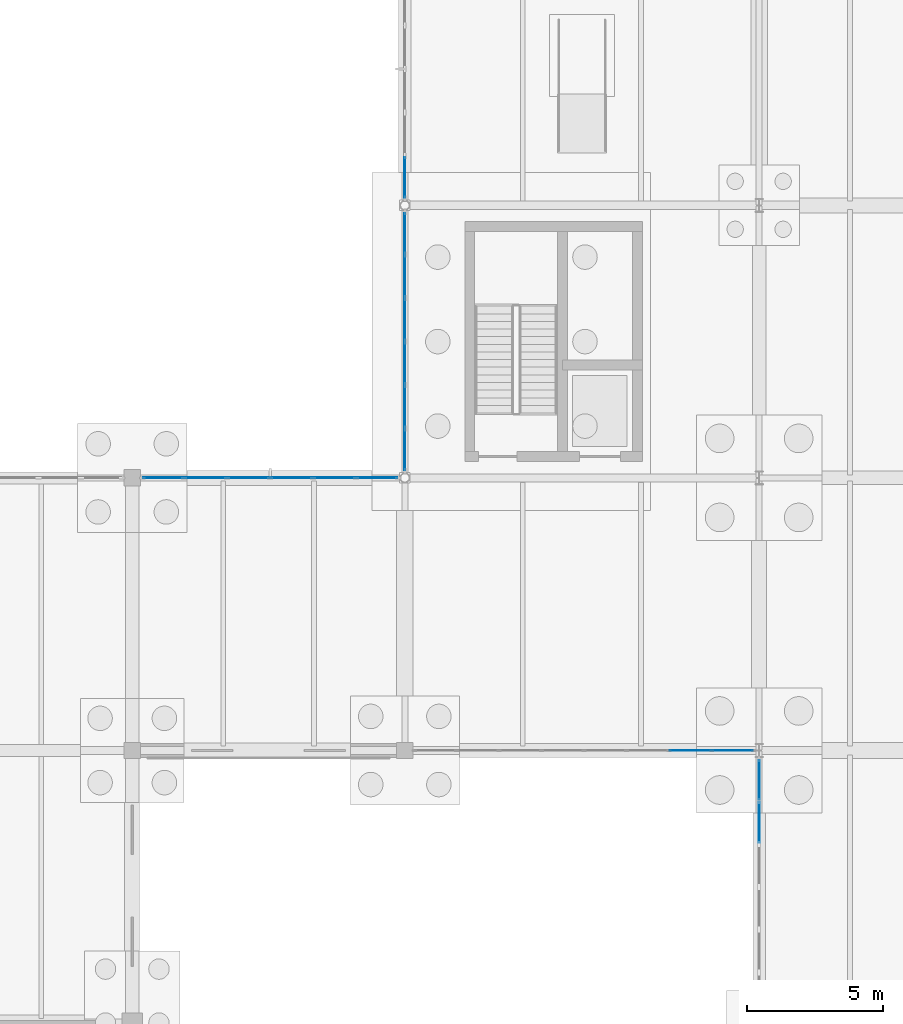
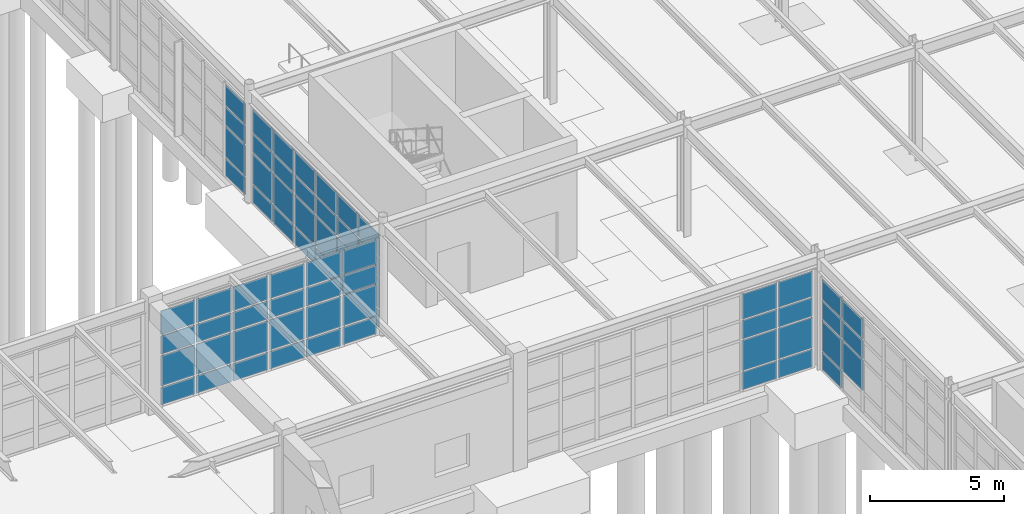
# One storey, part 88 of 145: 67 plates, 5 elements without a shape of their own.
"""IFC4 building model written with IfcOpenShell, lengths in metres."""

import ifcopenshell
import ifcopenshell.guid

model = None  # the IFC model being written
_history = None  # IfcOwnerHistory: only IFC2X3 demands one
_inside = {}  # id of a spatial element -> (the spatial element, [elements in it])
_under = {}  # id of a project, library or spatial element -> (it, [spatial elements below it])
_declared = {}  # id of a project -> (the project, [libraries it declares])
_typed = {}  # id of a type object -> (the type object, [elements of that type])
_made_of = {}  # id of a material, layer set ... -> (it, [elements and type objects made of it])


def new_model(schema):
    """Start an empty IFC model of exactly this schema.

    Asked for "IFC4X3", IfcOpenShell would pick the latest addendum, in which some entities
    have other attributes; the version numbers below select the first issue.
    IFC2X3 requires an IfcOwnerHistory on every rooted entity: one is made here for all.
    """
    global model, _history
    if schema == "IFC4X3":
        model = ifcopenshell.file(schema_version=(4, 3, 0, 0))
    else:
        model = ifcopenshell.file(schema=schema)
    _inside.clear()
    _under.clear()
    _declared.clear()
    _typed.clear()
    _made_of.clear()
    _history = None
    if model.schema == "IFC2X3":
        org = make("IfcOrganization", Name="unknown")
        user = make(
            "IfcPersonAndOrganization",
            ThePerson=make("IfcPerson", FamilyName="unknown"),
            TheOrganization=org,
        )
        app = make(
            "IfcApplication",
            ApplicationDeveloper=org,
            Version="unknown",
            ApplicationFullName="unknown",
            ApplicationIdentifier="unknown",
        )
        _history = make(
            "IfcOwnerHistory",
            OwningUser=user,
            OwningApplication=app,
            ChangeAction="ADDED",
            CreationDate=0,
        )
    return model


def make(cls, **values):
    """One entity of the class cls with the attributes given. An attribute that is None is left unset."""
    return model.create_entity(
        cls, **{name: value for name, value in values.items() if value is not None}
    )


def rooted(cls, **values):
    """An entity with a GlobalId (a new one), such as an element, a storey or a relation."""
    return make(cls, GlobalId=ifcopenshell.guid.new(), OwnerHistory=_history, **values)


def si_unit(unit_type, name, prefix=None):
    """IfcSIUnit, for example si_unit("LENGTHUNIT", "METRE", prefix="MILLI")."""
    return make("IfcSIUnit", UnitType=unit_type, Prefix=prefix, Name=name)


def assignment(units):
    """IfcUnitAssignment: the units of a project."""
    return None if units is None else make("IfcUnitAssignment", Units=units)


def point(xyz):
    """IfcCartesianPoint."""
    return None if xyz is None else make("IfcCartesianPoint", Coordinates=xyz)


def direction(xyz):
    """IfcDirection."""
    return None if xyz is None else make("IfcDirection", DirectionRatios=xyz)


def frame(location, z_axis=None, x_axis=None):
    """IfcAxis2Placement3D, a coordinate frame: its origin and axes. An axis left out is left unset."""
    return make(
        "IfcAxis2Placement3D",
        Location=point(location),
        Axis=direction(z_axis),
        RefDirection=direction(x_axis),
    )


def frame_2d(location, x_axis=None):
    """IfcAxis2Placement2D, a coordinate frame in the plane: its origin and x axis."""
    return make(
        "IfcAxis2Placement2D", Location=point(location), RefDirection=direction(x_axis)
    )


def origin():
    """The frame at (0, 0, 0) with its axes left unset."""
    return frame((0.0, 0.0, 0.0))


def origin_2d():
    """The frame at (0, 0) in the plane with its x axis left unset."""
    return frame_2d((0.0, 0.0))


def place(relative_to, where):
    """IfcLocalPlacement: puts the frame where relative to a parent placement (None: the world)."""
    return make(
        "IfcLocalPlacement", PlacementRelTo=relative_to, RelativePlacement=where
    )


def context(
    kind, dimensions, precision=None, world=None, true_north=None, identifier=None
):
    """IfcGeometricRepresentationContext, for example the 3D "Model" context."""
    return make(
        "IfcGeometricRepresentationContext",
        ContextIdentifier=identifier,
        ContextType=kind,
        CoordinateSpaceDimension=dimensions,
        Precision=precision,
        WorldCoordinateSystem=world,
        TrueNorth=true_north,
    )


def subcontext(parent, identifier, kind, view, scale=None):
    """IfcGeometricRepresentationSubContext, for example "Body" below "Model"."""
    return make(
        "IfcGeometricRepresentationSubContext",
        ContextIdentifier=identifier,
        ContextType=kind,
        ParentContext=parent,
        TargetScale=scale,
        TargetView=view,
    )


def project(units=None, contexts=None):
    """IfcProject with its units and contexts."""
    return rooted(
        "IfcProject",
        Name="project",
        RepresentationContexts=contexts,
        UnitsInContext=assignment(units),
    )


def spatial(cls, under=None, at=None, **own):
    """A site, building, storey or space (cls), placed at a placement, below another one or the project."""
    s = rooted(cls, ObjectPlacement=at, **own)
    if under is not None:
        _under.setdefault(under.id(), (under, []))[1].append(s)
    return s


def profile(cls, at=None, kind="AREA", **sizes):
    """A parametric profile (cls). Its sizes go by their IFC names, for example OverallWidth=200.0."""
    return make(cls, ProfileType=kind, Position=at, **sizes)


def rectangle(**sizes):
    """IfcRectangleProfileDef."""
    return profile("IfcRectangleProfileDef", **sizes)


def extrude(swept, where, along, depth):
    """IfcExtrudedAreaSolid: the profile swept, set in the frame where, extruded along a direction by depth."""
    return make(
        "IfcExtrudedAreaSolid",
        SweptArea=swept,
        Position=where,
        ExtrudedDirection=direction(along),
        Depth=depth,
    )


def shape(context_of_items, identifier, shape_type, items):
    """IfcShapeRepresentation: the items that make up one representation, for example the "Body"."""
    return make(
        "IfcShapeRepresentation",
        ContextOfItems=context_of_items,
        RepresentationIdentifier=identifier,
        RepresentationType=shape_type,
        Items=items,
    )


def material(Name=None, Category=None):
    """IfcMaterial."""
    return make("IfcMaterial", Name=Name, Category=Category)


def layer(
    of_material, thickness, ventilated=None, Name=None, Category=None, Priority=None
):
    """IfcMaterialLayer: one layer of a wall or slab, of a material (None: an air gap)."""
    return make(
        "IfcMaterialLayer",
        Material=of_material,
        LayerThickness=thickness,
        IsVentilated=ventilated,
        Name=Name,
        Category=Category,
        Priority=Priority,
    )


def layer_set(layers, Name=None):
    """IfcMaterialLayerSet."""
    return make("IfcMaterialLayerSet", MaterialLayers=layers, LayerSetName=Name)


def made_of(thing, what):
    """Note that an element or type object is made of a material, layer set ...; save() writes the relation."""
    if what is not None:
        _made_of.setdefault(what.id(), (what, []))[1].append(thing)
    return thing


def type_object(cls, material=None, **own):
    """A type object (cls), such as IfcWallType, which elements share."""
    return made_of(rooted(cls, **own), material)


def element(
    cls,
    number,
    at=None,
    inside=None,
    cuts=None,
    type_object=None,
    material=None,
    context=None,
    identifier="Body",
    shape_type=None,
    held_by="IfcProductDefinitionShape",
    body=None,
    shapes=None,
    **own,
):
    """One element of the class cls, such as IfcWall. Its Tag is "e" and its number.

    at: its placement. inside: the storey or other place that contains it. cuts: it is an
    opening in that element (IfcRelVoidsElement). A single representation is given by context,
    identifier, shape_type and body (its items); several are given by shapes. held_by: the class
    of the entity that holds the representations. save() writes the other relations.
    """
    e = rooted(cls, Tag="e%d" % number, ObjectPlacement=at, **own)
    if body is not None:
        shapes = [shape(context, identifier, shape_type, body)]
    if shapes is not None:
        e.Representation = make(held_by, Representations=shapes)
    if inside is not None:
        _inside.setdefault(inside.id(), (inside, []))[1].append(e)
    if cuts is not None:
        rooted(
            "IfcRelVoidsElement", RelatingBuildingElement=cuts, RelatedOpeningElement=e
        )
    if type_object is not None:
        _typed.setdefault(type_object.id(), (type_object, []))[1].append(e)
    return made_of(e, material)


def aggregate(whole, parts):
    """IfcRelAggregates: a whole, such as a stair, and the parts it consists of."""
    return rooted("IfcRelAggregates", RelatingObject=whole, RelatedObjects=parts)


def save(model, path):
    """Write the relations noted so far, then the file.

    IfcRelAggregates (storeys below a building ...), IfcRelContainedInSpatialStructure (elements
    in a storey), IfcRelDefinesByType, IfcRelAssociatesMaterial and IfcRelDeclares: one each for
    every whole, place, type object, material and project.
    """
    for whole, parts in _under.values():
        aggregate(whole, parts)
    for where, things in _inside.values():
        rooted(
            "IfcRelContainedInSpatialStructure",
            RelatedElements=things,
            RelatingStructure=where,
        )
    for kind, things in _typed.values():
        rooted("IfcRelDefinesByType", RelatedObjects=things, RelatingType=kind)
    for what, things in _made_of.values():
        rooted("IfcRelAssociatesMaterial", RelatedObjects=things, RelatingMaterial=what)
    for by, libraries in _declared.values():
        rooted("IfcRelDeclares", RelatingContext=by, RelatedDefinitions=libraries)
    model.write(path)


model = new_model("IFC4")

# Units and contexts
model_context = context("Model", 3, precision=1e-05, world=origin(), true_north=direction((0.0, 1.0)))
body_context = subcontext(model_context, "Body", "Model", "MODEL_VIEW")
ifc_project = project(units=[si_unit("LENGTHUNIT", "METRE"), si_unit("AREAUNIT", "SQUARE_METRE"), si_unit("VOLUMEUNIT", "CUBIC_METRE"), si_unit("PLANEANGLEUNIT", "RADIAN"), si_unit("MASSUNIT", "GRAM", prefix="KILO"), si_unit("THERMODYNAMICTEMPERATUREUNIT", "KELVIN"), si_unit("POWERUNIT", "WATT")], contexts=[model_context])

# Site, building, storey
site_placement = place(None, origin())
site = spatial("IfcSite", under=ifc_project, at=site_placement, CompositionType="ELEMENT")
building_placement = place(site_placement, origin())
building = spatial("IfcBuilding", under=site, at=building_placement, Name="Korenveer Ferry Terminal", CompositionType="ELEMENT")
storey_placement = place(building_placement, origin())
storey = spatial("IfcBuildingStorey", under=building, at=storey_placement, Name="L00", CompositionType="ELEMENT", Elevation=0.0)

# Curtain wall, plates
ifc_material_1 = material(Name="Unitised bronze-and-glass curtain wall", Category="glass")
ifc_layer_1 = layer(ifc_material_1, 0.159912109375)
ifc_layer_set_1 = layer_set([ifc_layer_1], Name="Unitised bronze-and-glass curtain wall")
curtain_wall_type_1 = type_object("IfcCurtainWallType", Name="ENV-CW-06", PredefinedType="USERDEFINED", material=ifc_layer_set_1)
curtain_wall_1_placement = place(storey_placement, frame((40.330078125, 70.0, 0.0)))
curtain_wall_1 = element("IfcCurtainWall", 1, at=curtain_wall_1_placement, inside=storey, type_object=curtain_wall_type_1, Name="Lancet curtain wall CWX-L00-X40-53-Y70-70", ObjectType="UNITISED CURTAIN WALL", PredefinedType="USERDEFINED")
ifc_material_2 = material(Name="Low-iron solar-control double glazing", Category="glass")
ifc_layer_2 = layer(ifc_material_2, 0.028076171875)
ifc_layer_set_2 = layer_set([ifc_layer_2], Name="Low-iron solar-control double glazing")
plate_type_1 = type_object("IfcPlateType", Name="ENV-CWP-GLZ28", PredefinedType="CURTAIN_PANEL", material=ifc_layer_set_2)
plate_1_placement = place(storey_placement, frame((50.47802734375, 70.0, 0.06005859375), z_axis=(0.0, 0.0, 1.0), x_axis=(1.0, 0.0, 0.0)))
plate_1 = element("IfcPlate", 2, at=plate_1_placement, type_object=plate_type_1, Name="CW-06 panel 7.1", PredefinedType="CURTAIN_PANEL", context=body_context, shape_type="SweptSolid", body=[
    extrude(rectangle(XDim=1.501220703125, YDim=0.028076171875, at=origin_2d()), origin(), (0.0, 0.0, 1.0), 0.81005859375),
])
plate_2_placement = place(storey_placement, frame((50.47802734375, 70.0, 0.93017578125), z_axis=(0.0, 0.0, 1.0), x_axis=(1.0, 0.0, 0.0)))
plate_2 = element("IfcPlate", 3, at=plate_2_placement, type_object=plate_type_1, Name="CW-06 panel 7.2", PredefinedType="CURTAIN_PANEL", context=body_context, shape_type="SweptSolid", body=[
    extrude(rectangle(XDim=1.501220703125, YDim=0.028076171875, at=origin_2d()), origin(), (0.0, 0.0, 1.0), 1.389892578125),
])
plate_3_placement = place(storey_placement, frame((50.47802734375, 70.0, 2.3798828125), z_axis=(0.0, 0.0, 1.0), x_axis=(1.0, 0.0, 0.0)))
plate_3 = element("IfcPlate", 4, at=plate_3_placement, type_object=plate_type_1, Name="CW-06 panel 7.3", PredefinedType="CURTAIN_PANEL", context=body_context, shape_type="SweptSolid", body=[
    extrude(rectangle(XDim=1.501220703125, YDim=0.028076171875, at=origin_2d()), origin(), (0.0, 0.0, 1.0), 0.840087890625),
])
plate_4_placement = place(storey_placement, frame((50.47802734375, 70.0, 3.280029296875), z_axis=(0.0, 0.0, 1.0), x_axis=(1.0, 0.0, 0.0)))
plate_4 = element("IfcPlate", 5, at=plate_4_placement, type_object=plate_type_1, Name="CW-06 panel 7.4", PredefinedType="CURTAIN_PANEL", context=body_context, shape_type="SweptSolid", body=[
    extrude(rectangle(XDim=1.501220703125, YDim=0.028076171875, at=origin_2d()), origin(), (0.0, 0.0, 1.0), 1.14990234375),
])
plate_5_placement = place(storey_placement, frame((52.0244140625, 70.0, 0.06005859375), z_axis=(0.0, 0.0, 1.0), x_axis=(1.0, 0.0, 0.0)))
plate_5 = element("IfcPlate", 6, at=plate_5_placement, type_object=plate_type_1, Name="CW-06 panel 8.1", PredefinedType="CURTAIN_PANEL", context=body_context, shape_type="SweptSolid", body=[
    extrude(rectangle(XDim=1.47119140625, YDim=0.028076171875, at=origin_2d()), origin(), (0.0, 0.0, 1.0), 0.81005859375),
])
plate_6_placement = place(storey_placement, frame((52.0244140625, 70.0, 0.93017578125), z_axis=(0.0, 0.0, 1.0), x_axis=(1.0, 0.0, 0.0)))
plate_6 = element("IfcPlate", 7, at=plate_6_placement, type_object=plate_type_1, Name="CW-06 panel 8.2", PredefinedType="CURTAIN_PANEL", context=body_context, shape_type="SweptSolid", body=[
    extrude(rectangle(XDim=1.47119140625, YDim=0.028076171875, at=origin_2d()), origin(), (0.0, 0.0, 1.0), 1.389892578125),
])
plate_7_placement = place(storey_placement, frame((52.0244140625, 70.0, 2.3798828125), z_axis=(0.0, 0.0, 1.0), x_axis=(1.0, 0.0, 0.0)))
plate_7 = element("IfcPlate", 8, at=plate_7_placement, type_object=plate_type_1, Name="CW-06 panel 8.3", PredefinedType="CURTAIN_PANEL", context=body_context, shape_type="SweptSolid", body=[
    extrude(rectangle(XDim=1.47119140625, YDim=0.028076171875, at=origin_2d()), origin(), (0.0, 0.0, 1.0), 0.840087890625),
])
plate_8_placement = place(storey_placement, frame((52.0244140625, 70.0, 3.280029296875), z_axis=(0.0, 0.0, 1.0), x_axis=(1.0, 0.0, 0.0)))
plate_8 = element("IfcPlate", 9, at=plate_8_placement, type_object=plate_type_1, Name="CW-06 panel 8.4", PredefinedType="CURTAIN_PANEL", context=body_context, shape_type="SweptSolid", body=[
    extrude(rectangle(XDim=1.47119140625, YDim=0.028076171875, at=origin_2d()), origin(), (0.0, 0.0, 1.0), 1.14990234375),
])
aggregate(curtain_wall_1, [plate_1, plate_2, plate_3, plate_4, plate_5, plate_6, plate_7, plate_8])

ifc_layer_3 = layer(ifc_material_1, 0.219970703125)
ifc_layer_set_3 = layer_set([ifc_layer_3], Name="Unitised bronze-and-glass curtain wall")
curtain_wall_type_2 = type_object("IfcCurtainWallType", Name="ENV-CW-11", PredefinedType="USERDEFINED", material=ifc_layer_set_3)
curtain_wall_2_placement = place(storey_placement, frame((30.330078125, 80.0, 0.0)))
curtain_wall_2 = element("IfcCurtainWall", 10, at=curtain_wall_2_placement, inside=storey, type_object=curtain_wall_type_2, Name="Lancet curtain wall CWX-L00-X30-40-Y80-80", ObjectType="UNITISED CURTAIN WALL", PredefinedType="USERDEFINED")
ifc_material_3 = material(Name="Acoustic laminated marine glazing", Category="glass")
ifc_layer_4 = layer(ifc_material_3, 0.035888671875)
ifc_layer_set_4 = layer_set([ifc_layer_4], Name="Acoustic laminated marine glazing")
plate_type_2 = type_object("IfcPlateType", Name="ENV-CWP-GLZ36", PredefinedType="CURTAIN_PANEL", material=ifc_layer_set_4)
plate_9_placement = place(storey_placement, frame((31.13720703125, 80.0, 0.074951171875), z_axis=(0.0, 0.0, 1.0), x_axis=(1.0, 0.0, 0.0)))
plate_9 = element("IfcPlate", 11, at=plate_9_placement, type_object=plate_type_2, Name="CW-11 panel 1.1", PredefinedType="CURTAIN_PANEL", context=body_context, shape_type="SweptSolid", body=[
    extrude(rectangle(XDim=1.464599609375, YDim=0.035888671875, at=origin_2d()), origin(), (0.0, 0.0, 1.0), 0.78759765625),
])
plate_10_placement = place(storey_placement, frame((31.13720703125, 80.0, 0.9375), z_axis=(0.0, 0.0, 1.0), x_axis=(1.0, 0.0, 0.0)))
plate_10 = element("IfcPlate", 12, at=plate_10_placement, type_object=plate_type_2, Name="CW-11 panel 1.2", PredefinedType="CURTAIN_PANEL", context=body_context, shape_type="SweptSolid", body=[
    extrude(rectangle(XDim=1.464599609375, YDim=0.035888671875, at=origin_2d()), origin(), (0.0, 0.0, 1.0), 1.375),
])
plate_11_placement = place(storey_placement, frame((31.13720703125, 80.0, 2.3876953125), z_axis=(0.0, 0.0, 1.0), x_axis=(1.0, 0.0, 0.0)))
plate_11 = element("IfcPlate", 13, at=plate_11_placement, type_object=plate_type_2, Name="CW-11 panel 1.3", PredefinedType="CURTAIN_PANEL", context=body_context, shape_type="SweptSolid", body=[
    extrude(rectangle(XDim=1.464599609375, YDim=0.035888671875, at=origin_2d()), origin(), (0.0, 0.0, 1.0), 0.824951171875),
])
plate_12_placement = place(storey_placement, frame((31.13720703125, 80.0, 3.28759765625), z_axis=(0.0, 0.0, 1.0), x_axis=(1.0, 0.0, 0.0)))
plate_12 = element("IfcPlate", 14, at=plate_12_placement, type_object=plate_type_2, Name="CW-11 panel 1.4", PredefinedType="CURTAIN_PANEL", context=body_context, shape_type="SweptSolid", body=[
    extrude(rectangle(XDim=1.464599609375, YDim=0.035888671875, at=origin_2d()), origin(), (0.0, 0.0, 1.0), 1.077392578125),
])
plate_13_placement = place(storey_placement, frame((32.695556640625, 80.0, 0.074951171875), z_axis=(0.0, 0.0, 1.0), x_axis=(1.0, 0.0, 0.0)))
plate_13 = element("IfcPlate", 15, at=plate_13_placement, type_object=plate_type_2, Name="CW-11 panel 2.1", PredefinedType="CURTAIN_PANEL", context=body_context, shape_type="SweptSolid", body=[
    extrude(rectangle(XDim=1.501953125, YDim=0.035888671875, at=origin_2d()), origin(), (0.0, 0.0, 1.0), 0.78759765625),
])
plate_14_placement = place(storey_placement, frame((32.695556640625, 80.0, 0.9375), z_axis=(0.0, 0.0, 1.0), x_axis=(1.0, 0.0, 0.0)))
plate_14 = element("IfcPlate", 16, at=plate_14_placement, type_object=plate_type_2, Name="CW-11 panel 2.2", PredefinedType="CURTAIN_PANEL", context=body_context, shape_type="SweptSolid", body=[
    extrude(rectangle(XDim=1.501953125, YDim=0.035888671875, at=origin_2d()), origin(), (0.0, 0.0, 1.0), 1.375),
])
plate_15_placement = place(storey_placement, frame((32.695556640625, 80.0, 2.3876953125), z_axis=(0.0, 0.0, 1.0), x_axis=(1.0, 0.0, 0.0)))
plate_15 = element("IfcPlate", 17, at=plate_15_placement, type_object=plate_type_2, Name="CW-11 panel 2.3", PredefinedType="CURTAIN_PANEL", context=body_context, shape_type="SweptSolid", body=[
    extrude(rectangle(XDim=1.501953125, YDim=0.035888671875, at=origin_2d()), origin(), (0.0, 0.0, 1.0), 0.824951171875),
])
plate_16_placement = place(storey_placement, frame((32.695556640625, 80.0, 3.28759765625), z_axis=(0.0, 0.0, 1.0), x_axis=(1.0, 0.0, 0.0)))
plate_16 = element("IfcPlate", 18, at=plate_16_placement, type_object=plate_type_2, Name="CW-11 panel 2.4", PredefinedType="CURTAIN_PANEL", context=body_context, shape_type="SweptSolid", body=[
    extrude(rectangle(XDim=1.501953125, YDim=0.035888671875, at=origin_2d()), origin(), (0.0, 0.0, 1.0), 1.077392578125),
])
plate_17_placement = place(storey_placement, frame((34.272705078125, 80.0, 0.074951171875), z_axis=(0.0, 0.0, 1.0), x_axis=(1.0, 0.0, 0.0)))
plate_17 = element("IfcPlate", 19, at=plate_17_placement, type_object=plate_type_2, Name="CW-11 panel 3.1", PredefinedType="CURTAIN_PANEL", context=body_context, shape_type="SweptSolid", body=[
    extrude(rectangle(XDim=1.501953125, YDim=0.035888671875, at=origin_2d()), origin(), (0.0, 0.0, 1.0), 0.78759765625),
])
plate_18_placement = place(storey_placement, frame((34.272705078125, 80.0, 0.9375), z_axis=(0.0, 0.0, 1.0), x_axis=(1.0, 0.0, 0.0)))
plate_18 = element("IfcPlate", 20, at=plate_18_placement, type_object=plate_type_2, Name="CW-11 panel 3.2", PredefinedType="CURTAIN_PANEL", context=body_context, shape_type="SweptSolid", body=[
    extrude(rectangle(XDim=1.501953125, YDim=0.035888671875, at=origin_2d()), origin(), (0.0, 0.0, 1.0), 1.375),
])
plate_19_placement = place(storey_placement, frame((34.272705078125, 80.0, 2.3876953125), z_axis=(0.0, 0.0, 1.0), x_axis=(1.0, 0.0, 0.0)))
plate_19 = element("IfcPlate", 21, at=plate_19_placement, type_object=plate_type_2, Name="CW-11 panel 3.3", PredefinedType="CURTAIN_PANEL", context=body_context, shape_type="SweptSolid", body=[
    extrude(rectangle(XDim=1.501953125, YDim=0.035888671875, at=origin_2d()), origin(), (0.0, 0.0, 1.0), 0.824951171875),
])
plate_20_placement = place(storey_placement, frame((34.272705078125, 80.0, 3.28759765625), z_axis=(0.0, 0.0, 1.0), x_axis=(1.0, 0.0, 0.0)))
plate_20 = element("IfcPlate", 22, at=plate_20_placement, type_object=plate_type_2, Name="CW-11 panel 3.4", PredefinedType="CURTAIN_PANEL", context=body_context, shape_type="SweptSolid", body=[
    extrude(rectangle(XDim=1.501953125, YDim=0.035888671875, at=origin_2d()), origin(), (0.0, 0.0, 1.0), 1.077392578125),
])
plate_21_placement = place(storey_placement, frame((35.849609375, 80.0, 0.074951171875), z_axis=(0.0, 0.0, 1.0), x_axis=(1.0, 0.0, 0.0)))
plate_21 = element("IfcPlate", 23, at=plate_21_placement, type_object=plate_type_2, Name="CW-11 panel 4.1", PredefinedType="CURTAIN_PANEL", context=body_context, shape_type="SweptSolid", body=[
    extrude(rectangle(XDim=1.501953125, YDim=0.035888671875, at=origin_2d()), origin(), (0.0, 0.0, 1.0), 0.78759765625),
])
plate_22_placement = place(storey_placement, frame((35.849609375, 80.0, 0.9375), z_axis=(0.0, 0.0, 1.0), x_axis=(1.0, 0.0, 0.0)))
plate_22 = element("IfcPlate", 24, at=plate_22_placement, type_object=plate_type_2, Name="CW-11 panel 4.2", PredefinedType="CURTAIN_PANEL", context=body_context, shape_type="SweptSolid", body=[
    extrude(rectangle(XDim=1.501953125, YDim=0.035888671875, at=origin_2d()), origin(), (0.0, 0.0, 1.0), 1.375),
])
plate_23_placement = place(storey_placement, frame((35.849609375, 80.0, 2.3876953125), z_axis=(0.0, 0.0, 1.0), x_axis=(1.0, 0.0, 0.0)))
plate_23 = element("IfcPlate", 25, at=plate_23_placement, type_object=plate_type_2, Name="CW-11 panel 4.3", PredefinedType="CURTAIN_PANEL", context=body_context, shape_type="SweptSolid", body=[
    extrude(rectangle(XDim=1.501953125, YDim=0.035888671875, at=origin_2d()), origin(), (0.0, 0.0, 1.0), 0.824951171875),
])
plate_24_placement = place(storey_placement, frame((35.849609375, 80.0, 3.28759765625), z_axis=(0.0, 0.0, 1.0), x_axis=(1.0, 0.0, 0.0)))
plate_24 = element("IfcPlate", 26, at=plate_24_placement, type_object=plate_type_2, Name="CW-11 panel 4.4", PredefinedType="CURTAIN_PANEL", context=body_context, shape_type="SweptSolid", body=[
    extrude(rectangle(XDim=1.501953125, YDim=0.035888671875, at=origin_2d()), origin(), (0.0, 0.0, 1.0), 1.077392578125),
])
plate_25_placement = place(storey_placement, frame((37.4267578125, 80.0, 0.074951171875), z_axis=(0.0, 0.0, 1.0), x_axis=(1.0, 0.0, 0.0)))
plate_25 = element("IfcPlate", 27, at=plate_25_placement, type_object=plate_type_2, Name="CW-11 panel 5.1", PredefinedType="CURTAIN_PANEL", context=body_context, shape_type="SweptSolid", body=[
    extrude(rectangle(XDim=1.501953125, YDim=0.035888671875, at=origin_2d()), origin(), (0.0, 0.0, 1.0), 0.78759765625),
])
plate_26_placement = place(storey_placement, frame((37.4267578125, 80.0, 0.9375), z_axis=(0.0, 0.0, 1.0), x_axis=(1.0, 0.0, 0.0)))
plate_26 = element("IfcPlate", 28, at=plate_26_placement, type_object=plate_type_2, Name="CW-11 panel 5.2", PredefinedType="CURTAIN_PANEL", context=body_context, shape_type="SweptSolid", body=[
    extrude(rectangle(XDim=1.501953125, YDim=0.035888671875, at=origin_2d()), origin(), (0.0, 0.0, 1.0), 1.375),
])
plate_27_placement = place(storey_placement, frame((37.4267578125, 80.0, 2.3876953125), z_axis=(0.0, 0.0, 1.0), x_axis=(1.0, 0.0, 0.0)))
plate_27 = element("IfcPlate", 29, at=plate_27_placement, type_object=plate_type_2, Name="CW-11 panel 5.3", PredefinedType="CURTAIN_PANEL", context=body_context, shape_type="SweptSolid", body=[
    extrude(rectangle(XDim=1.501953125, YDim=0.035888671875, at=origin_2d()), origin(), (0.0, 0.0, 1.0), 0.824951171875),
])
plate_28_placement = place(storey_placement, frame((37.4267578125, 80.0, 3.28759765625), z_axis=(0.0, 0.0, 1.0), x_axis=(1.0, 0.0, 0.0)))
plate_28 = element("IfcPlate", 30, at=plate_28_placement, type_object=plate_type_2, Name="CW-11 panel 5.4", PredefinedType="CURTAIN_PANEL", context=body_context, shape_type="SweptSolid", body=[
    extrude(rectangle(XDim=1.501953125, YDim=0.035888671875, at=origin_2d()), origin(), (0.0, 0.0, 1.0), 1.077392578125),
])
plate_29_placement = place(storey_placement, frame((38.98486328125, 80.0, 0.074951171875), z_axis=(0.0, 0.0, 1.0), x_axis=(1.0, 0.0, 0.0)))
plate_29 = element("IfcPlate", 31, at=plate_29_placement, type_object=plate_type_2, Name="CW-11 panel 6.1", PredefinedType="CURTAIN_PANEL", context=body_context, shape_type="SweptSolid", body=[
    extrude(rectangle(XDim=1.464599609375, YDim=0.035888671875, at=origin_2d()), origin(), (0.0, 0.0, 1.0), 0.78759765625),
])
plate_30_placement = place(storey_placement, frame((38.98486328125, 80.0, 0.9375), z_axis=(0.0, 0.0, 1.0), x_axis=(1.0, 0.0, 0.0)))
plate_30 = element("IfcPlate", 32, at=plate_30_placement, type_object=plate_type_2, Name="CW-11 panel 6.2", PredefinedType="CURTAIN_PANEL", context=body_context, shape_type="SweptSolid", body=[
    extrude(rectangle(XDim=1.464599609375, YDim=0.035888671875, at=origin_2d()), origin(), (0.0, 0.0, 1.0), 1.375),
])
plate_31_placement = place(storey_placement, frame((38.98486328125, 80.0, 2.3876953125), z_axis=(0.0, 0.0, 1.0), x_axis=(1.0, 0.0, 0.0)))
plate_31 = element("IfcPlate", 33, at=plate_31_placement, type_object=plate_type_2, Name="CW-11 panel 6.3", PredefinedType="CURTAIN_PANEL", context=body_context, shape_type="SweptSolid", body=[
    extrude(rectangle(XDim=1.464599609375, YDim=0.035888671875, at=origin_2d()), origin(), (0.0, 0.0, 1.0), 0.824951171875),
])
plate_32_placement = place(storey_placement, frame((38.98486328125, 80.0, 3.28759765625), z_axis=(0.0, 0.0, 1.0), x_axis=(1.0, 0.0, 0.0)))
plate_32 = element("IfcPlate", 34, at=plate_32_placement, type_object=plate_type_2, Name="CW-11 panel 6.4", PredefinedType="CURTAIN_PANEL", context=body_context, shape_type="SweptSolid", body=[
    extrude(rectangle(XDim=1.464599609375, YDim=0.035888671875, at=origin_2d()), origin(), (0.0, 0.0, 1.0), 1.077392578125),
])
aggregate(curtain_wall_2, [plate_9, plate_10, plate_11, plate_12, plate_13, plate_14, plate_15, plate_16, plate_17, plate_18, plate_19, plate_20, plate_21, plate_22, plate_23, plate_24, plate_25, plate_26, plate_27, plate_28, plate_29, plate_30, plate_31, plate_32])

ifc_layer_5 = layer(ifc_material_1, 0.219970703125)
ifc_layer_set_5 = layer_set([ifc_layer_5], Name="Unitised bronze-and-glass curtain wall")
curtain_wall_type_3 = type_object("IfcCurtainWallType", Name="ENV-CW-21", PredefinedType="USERDEFINED", material=ifc_layer_set_5)
curtain_wall_3_placement = place(storey_placement, frame((40.0, 80.207763671875, 0.0)))
curtain_wall_3 = element("IfcCurtainWall", 35, at=curtain_wall_3_placement, inside=storey, type_object=curtain_wall_type_3, Name="Lancet curtain wall CWX-L00-X40-40-Y80-90", ObjectType="UNITISED CURTAIN WALL", PredefinedType="USERDEFINED")
plate_33_placement = place(storey_placement, frame((40.0, 81.025146484375, 0.074951171875), z_axis=(0.0, 0.0, 1.0), x_axis=(0.0, 1.0, 0.0)))
plate_33 = element("IfcPlate", 36, at=plate_33_placement, type_object=plate_type_2, Name="CW-21 panel 1.1", PredefinedType="CURTAIN_PANEL", context=body_context, shape_type="SweptSolid", body=[
    extrude(rectangle(XDim=1.48486328125, YDim=0.035888671875, at=origin_2d()), origin(), (0.0, 0.0, 1.0), 0.78759765625),
])
plate_34_placement = place(storey_placement, frame((40.0, 81.025146484375, 0.9375), z_axis=(0.0, 0.0, 1.0), x_axis=(0.0, 1.0, 0.0)))
plate_34 = element("IfcPlate", 37, at=plate_34_placement, type_object=plate_type_2, Name="CW-21 panel 1.2", PredefinedType="CURTAIN_PANEL", context=body_context, shape_type="SweptSolid", body=[
    extrude(rectangle(XDim=1.48486328125, YDim=0.035888671875, at=origin_2d()), origin(), (0.0, 0.0, 1.0), 1.375),
])
plate_35_placement = place(storey_placement, frame((40.0, 81.025146484375, 2.3876953125), z_axis=(0.0, 0.0, 1.0), x_axis=(0.0, 1.0, 0.0)))
plate_35 = element("IfcPlate", 38, at=plate_35_placement, type_object=plate_type_2, Name="CW-21 panel 1.3", PredefinedType="CURTAIN_PANEL", context=body_context, shape_type="SweptSolid", body=[
    extrude(rectangle(XDim=1.48486328125, YDim=0.035888671875, at=origin_2d()), origin(), (0.0, 0.0, 1.0), 0.824951171875),
])
plate_36_placement = place(storey_placement, frame((40.0, 81.025146484375, 3.28759765625), z_axis=(0.0, 0.0, 1.0), x_axis=(0.0, 1.0, 0.0)))
plate_36 = element("IfcPlate", 39, at=plate_36_placement, type_object=plate_type_2, Name="CW-21 panel 1.4", PredefinedType="CURTAIN_PANEL", context=body_context, shape_type="SweptSolid", body=[
    extrude(rectangle(XDim=1.48486328125, YDim=0.035888671875, at=origin_2d()), origin(), (0.0, 0.0, 1.0), 1.027587890625),
])
plate_37_placement = place(storey_placement, frame((40.0, 82.60400390625, 0.074951171875), z_axis=(0.0, 0.0, 1.0), x_axis=(0.0, 1.0, 0.0)))
plate_37 = element("IfcPlate", 40, at=plate_37_placement, type_object=plate_type_2, Name="CW-21 panel 2.1", PredefinedType="CURTAIN_PANEL", context=body_context, shape_type="SweptSolid", body=[
    extrude(rectangle(XDim=1.5224609375, YDim=0.035888671875, at=origin_2d()), origin(), (0.0, 0.0, 1.0), 0.78759765625),
])
plate_38_placement = place(storey_placement, frame((40.0, 82.60400390625, 0.9375), z_axis=(0.0, 0.0, 1.0), x_axis=(0.0, 1.0, 0.0)))
plate_38 = element("IfcPlate", 41, at=plate_38_placement, type_object=plate_type_2, Name="CW-21 panel 2.2", PredefinedType="CURTAIN_PANEL", context=body_context, shape_type="SweptSolid", body=[
    extrude(rectangle(XDim=1.5224609375, YDim=0.035888671875, at=origin_2d()), origin(), (0.0, 0.0, 1.0), 1.375),
])
plate_39_placement = place(storey_placement, frame((40.0, 82.60400390625, 2.3876953125), z_axis=(0.0, 0.0, 1.0), x_axis=(0.0, 1.0, 0.0)))
plate_39 = element("IfcPlate", 42, at=plate_39_placement, type_object=plate_type_2, Name="CW-21 panel 2.3", PredefinedType="CURTAIN_PANEL", context=body_context, shape_type="SweptSolid", body=[
    extrude(rectangle(XDim=1.5224609375, YDim=0.035888671875, at=origin_2d()), origin(), (0.0, 0.0, 1.0), 0.824951171875),
])
plate_40_placement = place(storey_placement, frame((40.0, 82.60400390625, 3.28759765625), z_axis=(0.0, 0.0, 1.0), x_axis=(0.0, 1.0, 0.0)))
plate_40 = element("IfcPlate", 43, at=plate_40_placement, type_object=plate_type_2, Name="CW-21 panel 2.4", PredefinedType="CURTAIN_PANEL", context=body_context, shape_type="SweptSolid", body=[
    extrude(rectangle(XDim=1.5224609375, YDim=0.035888671875, at=origin_2d()), origin(), (0.0, 0.0, 1.0), 1.027587890625),
])
plate_41_placement = place(storey_placement, frame((40.0, 84.201416015625, 0.074951171875), z_axis=(0.0, 0.0, 1.0), x_axis=(0.0, 1.0, 0.0)))
plate_41 = element("IfcPlate", 44, at=plate_41_placement, type_object=plate_type_2, Name="CW-21 panel 3.1", PredefinedType="CURTAIN_PANEL", context=body_context, shape_type="SweptSolid", body=[
    extrude(rectangle(XDim=1.5224609375, YDim=0.035888671875, at=origin_2d()), origin(), (0.0, 0.0, 1.0), 0.78759765625),
])
plate_42_placement = place(storey_placement, frame((40.0, 84.201416015625, 0.9375), z_axis=(0.0, 0.0, 1.0), x_axis=(0.0, 1.0, 0.0)))
plate_42 = element("IfcPlate", 45, at=plate_42_placement, type_object=plate_type_2, Name="CW-21 panel 3.2", PredefinedType="CURTAIN_PANEL", context=body_context, shape_type="SweptSolid", body=[
    extrude(rectangle(XDim=1.5224609375, YDim=0.035888671875, at=origin_2d()), origin(), (0.0, 0.0, 1.0), 1.375),
])
plate_43_placement = place(storey_placement, frame((40.0, 84.201416015625, 2.3876953125), z_axis=(0.0, 0.0, 1.0), x_axis=(0.0, 1.0, 0.0)))
plate_43 = element("IfcPlate", 46, at=plate_43_placement, type_object=plate_type_2, Name="CW-21 panel 3.3", PredefinedType="CURTAIN_PANEL", context=body_context, shape_type="SweptSolid", body=[
    extrude(rectangle(XDim=1.5224609375, YDim=0.035888671875, at=origin_2d()), origin(), (0.0, 0.0, 1.0), 0.824951171875),
])
plate_44_placement = place(storey_placement, frame((40.0, 84.201416015625, 3.28759765625), z_axis=(0.0, 0.0, 1.0), x_axis=(0.0, 1.0, 0.0)))
plate_44 = element("IfcPlate", 47, at=plate_44_placement, type_object=plate_type_2, Name="CW-21 panel 3.4", PredefinedType="CURTAIN_PANEL", context=body_context, shape_type="SweptSolid", body=[
    extrude(rectangle(XDim=1.5224609375, YDim=0.035888671875, at=origin_2d()), origin(), (0.0, 0.0, 1.0), 1.027587890625),
])
plate_45_placement = place(storey_placement, frame((40.0, 85.798583984375, 0.074951171875), z_axis=(0.0, 0.0, 1.0), x_axis=(0.0, 1.0, 0.0)))
plate_45 = element("IfcPlate", 48, at=plate_45_placement, type_object=plate_type_2, Name="CW-21 panel 4.1", PredefinedType="CURTAIN_PANEL", context=body_context, shape_type="SweptSolid", body=[
    extrude(rectangle(XDim=1.5224609375, YDim=0.035888671875, at=origin_2d()), origin(), (0.0, 0.0, 1.0), 0.78759765625),
])
plate_46_placement = place(storey_placement, frame((40.0, 85.798583984375, 0.9375), z_axis=(0.0, 0.0, 1.0), x_axis=(0.0, 1.0, 0.0)))
plate_46 = element("IfcPlate", 49, at=plate_46_placement, type_object=plate_type_2, Name="CW-21 panel 4.2", PredefinedType="CURTAIN_PANEL", context=body_context, shape_type="SweptSolid", body=[
    extrude(rectangle(XDim=1.5224609375, YDim=0.035888671875, at=origin_2d()), origin(), (0.0, 0.0, 1.0), 1.375),
])
plate_47_placement = place(storey_placement, frame((40.0, 85.798583984375, 2.3876953125), z_axis=(0.0, 0.0, 1.0), x_axis=(0.0, 1.0, 0.0)))
plate_47 = element("IfcPlate", 50, at=plate_47_placement, type_object=plate_type_2, Name="CW-21 panel 4.3", PredefinedType="CURTAIN_PANEL", context=body_context, shape_type="SweptSolid", body=[
    extrude(rectangle(XDim=1.5224609375, YDim=0.035888671875, at=origin_2d()), origin(), (0.0, 0.0, 1.0), 0.824951171875),
])
plate_48_placement = place(storey_placement, frame((40.0, 85.798583984375, 3.28759765625), z_axis=(0.0, 0.0, 1.0), x_axis=(0.0, 1.0, 0.0)))
plate_48 = element("IfcPlate", 51, at=plate_48_placement, type_object=plate_type_2, Name="CW-21 panel 4.4", PredefinedType="CURTAIN_PANEL", context=body_context, shape_type="SweptSolid", body=[
    extrude(rectangle(XDim=1.5224609375, YDim=0.035888671875, at=origin_2d()), origin(), (0.0, 0.0, 1.0), 1.027587890625),
])
plate_49_placement = place(storey_placement, frame((40.0, 87.39599609375, 0.074951171875), z_axis=(0.0, 0.0, 1.0), x_axis=(0.0, 1.0, 0.0)))
plate_49 = element("IfcPlate", 52, at=plate_49_placement, type_object=plate_type_2, Name="CW-21 panel 5.1", PredefinedType="CURTAIN_PANEL", context=body_context, shape_type="SweptSolid", body=[
    extrude(rectangle(XDim=1.5224609375, YDim=0.035888671875, at=origin_2d()), origin(), (0.0, 0.0, 1.0), 0.78759765625),
])
plate_50_placement = place(storey_placement, frame((40.0, 87.39599609375, 0.9375), z_axis=(0.0, 0.0, 1.0), x_axis=(0.0, 1.0, 0.0)))
plate_50 = element("IfcPlate", 53, at=plate_50_placement, type_object=plate_type_2, Name="CW-21 panel 5.2", PredefinedType="CURTAIN_PANEL", context=body_context, shape_type="SweptSolid", body=[
    extrude(rectangle(XDim=1.5224609375, YDim=0.035888671875, at=origin_2d()), origin(), (0.0, 0.0, 1.0), 1.375),
])
plate_51_placement = place(storey_placement, frame((40.0, 87.39599609375, 2.3876953125), z_axis=(0.0, 0.0, 1.0), x_axis=(0.0, 1.0, 0.0)))
plate_51 = element("IfcPlate", 54, at=plate_51_placement, type_object=plate_type_2, Name="CW-21 panel 5.3", PredefinedType="CURTAIN_PANEL", context=body_context, shape_type="SweptSolid", body=[
    extrude(rectangle(XDim=1.5224609375, YDim=0.035888671875, at=origin_2d()), origin(), (0.0, 0.0, 1.0), 0.824951171875),
])
plate_52_placement = place(storey_placement, frame((40.0, 87.39599609375, 3.28759765625), z_axis=(0.0, 0.0, 1.0), x_axis=(0.0, 1.0, 0.0)))
plate_52 = element("IfcPlate", 55, at=plate_52_placement, type_object=plate_type_2, Name="CW-21 panel 5.4", PredefinedType="CURTAIN_PANEL", context=body_context, shape_type="SweptSolid", body=[
    extrude(rectangle(XDim=1.5224609375, YDim=0.035888671875, at=origin_2d()), origin(), (0.0, 0.0, 1.0), 1.027587890625),
])
plate_53_placement = place(storey_placement, frame((40.0, 88.974853515625, 0.074951171875), z_axis=(0.0, 0.0, 1.0), x_axis=(0.0, 1.0, 0.0)))
plate_53 = element("IfcPlate", 56, at=plate_53_placement, type_object=plate_type_2, Name="CW-21 panel 6.1", PredefinedType="CURTAIN_PANEL", context=body_context, shape_type="SweptSolid", body=[
    extrude(rectangle(XDim=1.48486328125, YDim=0.035888671875, at=origin_2d()), origin(), (0.0, 0.0, 1.0), 0.78759765625),
])
plate_54_placement = place(storey_placement, frame((40.0, 88.974853515625, 0.9375), z_axis=(0.0, 0.0, 1.0), x_axis=(0.0, 1.0, 0.0)))
plate_54 = element("IfcPlate", 57, at=plate_54_placement, type_object=plate_type_2, Name="CW-21 panel 6.2", PredefinedType="CURTAIN_PANEL", context=body_context, shape_type="SweptSolid", body=[
    extrude(rectangle(XDim=1.48486328125, YDim=0.035888671875, at=origin_2d()), origin(), (0.0, 0.0, 1.0), 1.375),
])
plate_55_placement = place(storey_placement, frame((40.0, 88.974853515625, 2.3876953125), z_axis=(0.0, 0.0, 1.0), x_axis=(0.0, 1.0, 0.0)))
plate_55 = element("IfcPlate", 58, at=plate_55_placement, type_object=plate_type_2, Name="CW-21 panel 6.3", PredefinedType="CURTAIN_PANEL", context=body_context, shape_type="SweptSolid", body=[
    extrude(rectangle(XDim=1.48486328125, YDim=0.035888671875, at=origin_2d()), origin(), (0.0, 0.0, 1.0), 0.824951171875),
])
plate_56_placement = place(storey_placement, frame((40.0, 88.974853515625, 3.28759765625), z_axis=(0.0, 0.0, 1.0), x_axis=(0.0, 1.0, 0.0)))
plate_56 = element("IfcPlate", 59, at=plate_56_placement, type_object=plate_type_2, Name="CW-21 panel 6.4", PredefinedType="CURTAIN_PANEL", context=body_context, shape_type="SweptSolid", body=[
    extrude(rectangle(XDim=1.48486328125, YDim=0.035888671875, at=origin_2d()), origin(), (0.0, 0.0, 1.0), 1.027587890625),
])
aggregate(curtain_wall_3, [plate_33, plate_34, plate_35, plate_36, plate_37, plate_38, plate_39, plate_40, plate_41, plate_42, plate_43, plate_44, plate_45, plate_46, plate_47, plate_48, plate_49, plate_50, plate_51, plate_52, plate_53, plate_54, plate_55, plate_56])

ifc_layer_6 = layer(ifc_material_1, 0.219970703125)
ifc_layer_set_6 = layer_set([ifc_layer_6], Name="Unitised bronze-and-glass curtain wall")
curtain_wall_type_4 = type_object("IfcCurtainWallType", Name="ENV-CW-22", PredefinedType="USERDEFINED", material=ifc_layer_set_6)
curtain_wall_4_placement = place(storey_placement, frame((40.0, 90.207763671875, 0.0)))
curtain_wall_4 = element("IfcCurtainWall", 60, at=curtain_wall_4_placement, inside=storey, type_object=curtain_wall_type_4, Name="Lancet curtain wall CWX-L00-X40-40-Y90-100", ObjectType="UNITISED CURTAIN WALL", PredefinedType="USERDEFINED")
plate_57_placement = place(storey_placement, frame((40.0, 91.025146484375, 0.074951171875), z_axis=(0.0, 0.0, 1.0), x_axis=(0.0, 1.0, 0.0)))
plate_57 = element("IfcPlate", 61, at=plate_57_placement, type_object=plate_type_2, Name="CW-22 panel 1.1", PredefinedType="CURTAIN_PANEL", context=body_context, shape_type="SweptSolid", body=[
    extrude(rectangle(XDim=1.48486328125, YDim=0.035888671875, at=origin_2d()), origin(), (0.0, 0.0, 1.0), 0.78759765625),
])
plate_58_placement = place(storey_placement, frame((40.0, 91.025146484375, 0.9375), z_axis=(0.0, 0.0, 1.0), x_axis=(0.0, 1.0, 0.0)))
plate_58 = element("IfcPlate", 62, at=plate_58_placement, type_object=plate_type_2, Name="CW-22 panel 1.2", PredefinedType="CURTAIN_PANEL", context=body_context, shape_type="SweptSolid", body=[
    extrude(rectangle(XDim=1.48486328125, YDim=0.035888671875, at=origin_2d()), origin(), (0.0, 0.0, 1.0), 1.375),
])
plate_59_placement = place(storey_placement, frame((40.0, 91.025146484375, 2.3876953125), z_axis=(0.0, 0.0, 1.0), x_axis=(0.0, 1.0, 0.0)))
plate_59 = element("IfcPlate", 63, at=plate_59_placement, type_object=plate_type_2, Name="CW-22 panel 1.3", PredefinedType="CURTAIN_PANEL", context=body_context, shape_type="SweptSolid", body=[
    extrude(rectangle(XDim=1.48486328125, YDim=0.035888671875, at=origin_2d()), origin(), (0.0, 0.0, 1.0), 0.824951171875),
])
plate_60_placement = place(storey_placement, frame((40.0, 91.025146484375, 3.28759765625), z_axis=(0.0, 0.0, 1.0), x_axis=(0.0, 1.0, 0.0)))
plate_60 = element("IfcPlate", 64, at=plate_60_placement, type_object=plate_type_2, Name="CW-22 panel 1.4", PredefinedType="CURTAIN_PANEL", context=body_context, shape_type="SweptSolid", body=[
    extrude(rectangle(XDim=1.48486328125, YDim=0.035888671875, at=origin_2d()), origin(), (0.0, 0.0, 1.0), 0.927490234375),
])
aggregate(curtain_wall_4, [plate_57, plate_58, plate_59, plate_60])

ifc_layer_7 = layer(ifc_material_1, 0.219970703125)
ifc_layer_set_7 = layer_set([ifc_layer_7], Name="Unitised bronze-and-glass curtain wall")
curtain_wall_type_5 = type_object("IfcCurtainWallType", Name="ENV-CW-27", PredefinedType="USERDEFINED", material=ifc_layer_set_7)
curtain_wall_5_placement = place(storey_placement, frame((53.0, 60.280029296875, 0.0)))
curtain_wall_5 = element("IfcCurtainWall", 65, at=curtain_wall_5_placement, inside=storey, type_object=curtain_wall_type_5, Name="Lancet curtain wall CWX-L00-X53-53-Y60-70", ObjectType="UNITISED CURTAIN WALL", PredefinedType="USERDEFINED")
plate_61_placement = place(storey_placement, frame((53.0, 67.360107421875, 0.9375), z_axis=(0.0, 0.0, 1.0), x_axis=(0.0, 1.0, 0.0)))
plate_61 = element("IfcPlate", 66, at=plate_61_placement, type_object=plate_type_2, Name="CW-27 panel 5.2", PredefinedType="CURTAIN_PANEL", context=body_context, shape_type="SweptSolid", body=[
    extrude(rectangle(XDim=1.498291015625, YDim=0.035888671875, at=origin_2d()), origin(), (0.0, 0.0, 1.0), 1.375),
])
plate_62_placement = place(storey_placement, frame((53.0, 67.360107421875, 2.3876953125), z_axis=(0.0, 0.0, 1.0), x_axis=(0.0, 1.0, 0.0)))
plate_62 = element("IfcPlate", 67, at=plate_62_placement, type_object=plate_type_2, Name="CW-27 panel 5.3", PredefinedType="CURTAIN_PANEL", context=body_context, shape_type="SweptSolid", body=[
    extrude(rectangle(XDim=1.498291015625, YDim=0.035888671875, at=origin_2d()), origin(), (0.0, 0.0, 1.0), 0.824951171875),
])
plate_63_placement = place(storey_placement, frame((53.0, 67.360107421875, 3.28759765625), z_axis=(0.0, 0.0, 1.0), x_axis=(0.0, 1.0, 0.0)))
plate_63 = element("IfcPlate", 68, at=plate_63_placement, type_object=plate_type_2, Name="CW-27 panel 5.4", PredefinedType="CURTAIN_PANEL", context=body_context, shape_type="SweptSolid", body=[
    extrude(rectangle(XDim=1.498291015625, YDim=0.035888671875, at=origin_2d()), origin(), (0.0, 0.0, 1.0), 0.887451171875),
])
plate_64_placement = place(storey_placement, frame((53.0, 68.91455078125, 0.074951171875), z_axis=(0.0, 0.0, 1.0), x_axis=(0.0, 1.0, 0.0)))
plate_64 = element("IfcPlate", 69, at=plate_64_placement, type_object=plate_type_2, Name="CW-27 panel 6.1", PredefinedType="CURTAIN_PANEL", context=body_context, shape_type="SweptSolid", body=[
    extrude(rectangle(XDim=1.4609375, YDim=0.035888671875, at=origin_2d()), origin(), (0.0, 0.0, 1.0), 0.78759765625),
])
plate_65_placement = place(storey_placement, frame((53.0, 68.91455078125, 0.9375), z_axis=(0.0, 0.0, 1.0), x_axis=(0.0, 1.0, 0.0)))
plate_65 = element("IfcPlate", 70, at=plate_65_placement, type_object=plate_type_2, Name="CW-27 panel 6.2", PredefinedType="CURTAIN_PANEL", context=body_context, shape_type="SweptSolid", body=[
    extrude(rectangle(XDim=1.4609375, YDim=0.035888671875, at=origin_2d()), origin(), (0.0, 0.0, 1.0), 1.375),
])
plate_66_placement = place(storey_placement, frame((53.0, 68.91455078125, 2.3876953125), z_axis=(0.0, 0.0, 1.0), x_axis=(0.0, 1.0, 0.0)))
plate_66 = element("IfcPlate", 71, at=plate_66_placement, type_object=plate_type_2, Name="CW-27 panel 6.3", PredefinedType="CURTAIN_PANEL", context=body_context, shape_type="SweptSolid", body=[
    extrude(rectangle(XDim=1.4609375, YDim=0.035888671875, at=origin_2d()), origin(), (0.0, 0.0, 1.0), 0.824951171875),
])
plate_67_placement = place(storey_placement, frame((53.0, 68.91455078125, 3.28759765625), z_axis=(0.0, 0.0, 1.0), x_axis=(0.0, 1.0, 0.0)))
plate_67 = element("IfcPlate", 72, at=plate_67_placement, type_object=plate_type_2, Name="CW-27 panel 6.4", PredefinedType="CURTAIN_PANEL", context=body_context, shape_type="SweptSolid", body=[
    extrude(rectangle(XDim=1.4609375, YDim=0.035888671875, at=origin_2d()), origin(), (0.0, 0.0, 1.0), 0.887451171875),
])
aggregate(curtain_wall_5, [plate_61, plate_62, plate_63, plate_64, plate_65, plate_66, plate_67])

save(model, "model.ifc")
